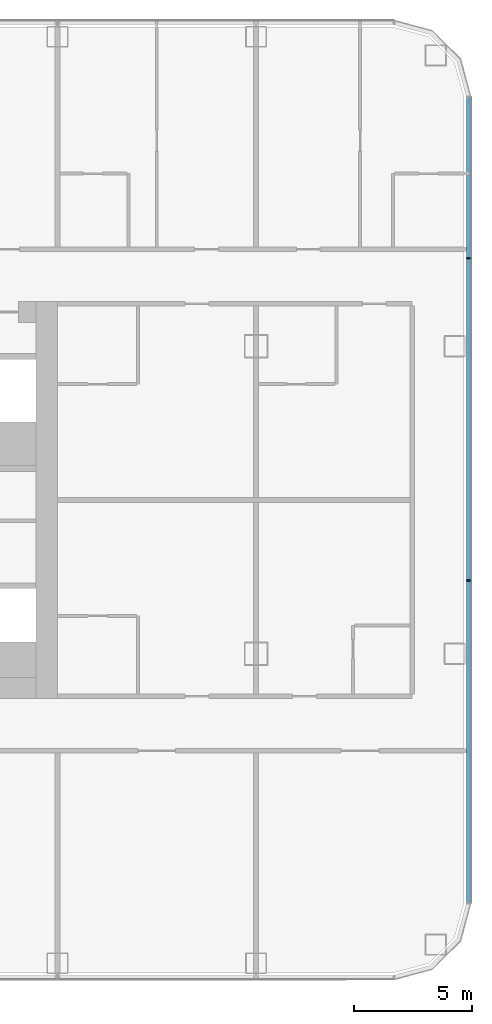
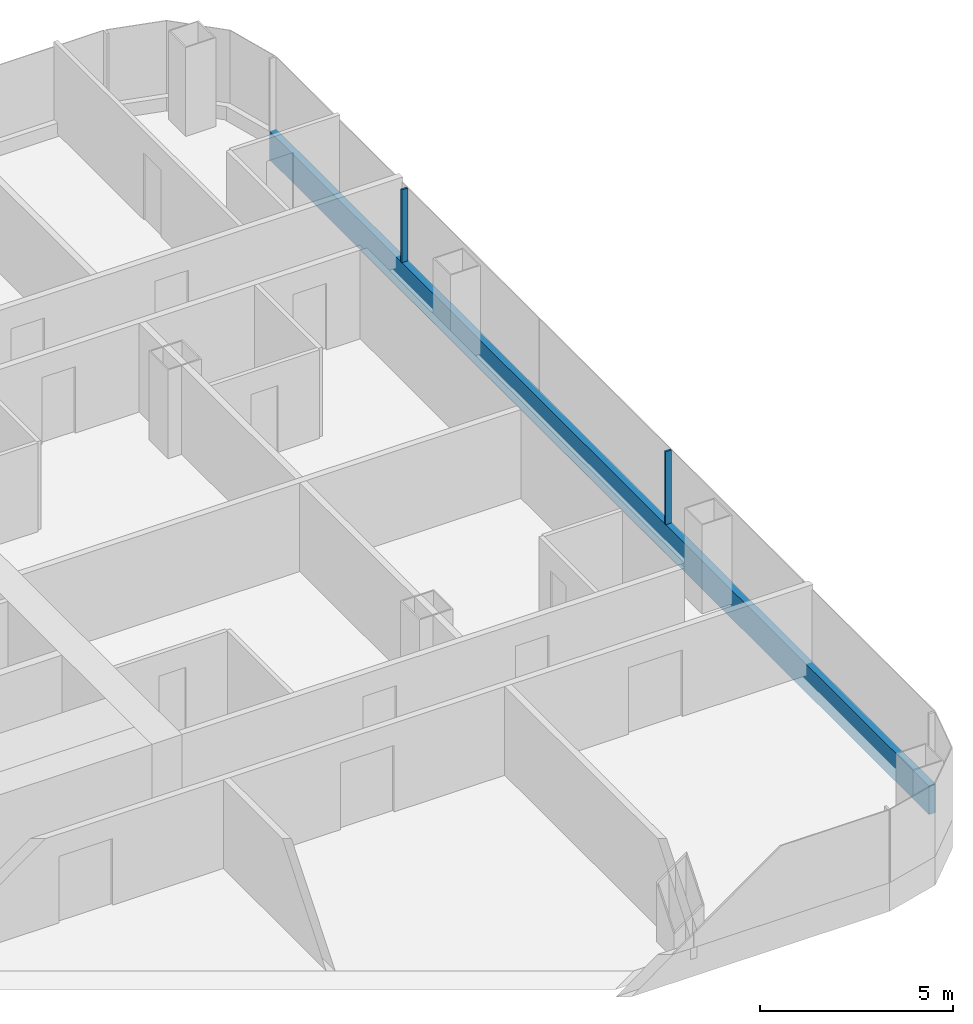
# One storey, part 10 of 28: 3 members, 1 element without a shape of its own.
"""IFC4 building model written with IfcOpenShell, lengths in metres."""

from ifc_helpers import new_model, si_unit, direction, frame, origin, origin_2d, place, context, subcontext, project, spatial, rectangle, extrude, material, layer, layer_set, material_profile, profile_set, type_object, element, aggregate, save


model = new_model("IFC4")

# Units and contexts
model_context = context("Model", 3, precision=1e-05, world=origin(), true_north=direction((0.0, 1.0)))
body_context = subcontext(model_context, "Body", "Model", "MODEL_VIEW")
ifc_project = project(units=[si_unit("LENGTHUNIT", "METRE"), si_unit("AREAUNIT", "SQUARE_METRE"), si_unit("VOLUMEUNIT", "CUBIC_METRE"), si_unit("PLANEANGLEUNIT", "RADIAN"), si_unit("MASSUNIT", "GRAM", prefix="KILO")], contexts=[model_context])

# Site, building, storey
site_placement = place(None, origin())
site = spatial("IfcSite", under=ifc_project, at=site_placement, CompositionType="ELEMENT")
building_placement = place(site_placement, origin())
building = spatial("IfcBuilding", under=site, at=building_placement, Name="Hakoniwa Tower and Hamabe Station Hall", CompositionType="ELEMENT")
storey_placement = place(building_placement, frame((0.0, 0.0, 48.60009765625)))
storey = spatial("IfcBuildingStorey", under=building, at=storey_placement, Name="L13", CompositionType="ELEMENT", Elevation=48.60009765625)

# Curtain wall, members
ifc_material_1 = material(Name="Dark low-e laminated glass", Category="glass")
ifc_layer = layer(ifc_material_1, 0.199951171875)
ifc_layer_set = layer_set([ifc_layer], Name="CW-1 UNITISED GUEST")
curtain_wall_type = type_object("IfcCurtainWallType", Name="CW-1 UNITISED GUEST", PredefinedType="NOTDEFINED", material=ifc_layer_set)
curtain_wall_placement = place(storey_placement, origin())
curtain_wall = element("IfcCurtainWall", 1, at=curtain_wall_placement, inside=storey, type_object=curtain_wall_type, Name="CW-1 curtain wall", PredefinedType="NOTDEFINED")
ifc_material_2 = material(Name="Aluminium 6063-T5 black anodised", Category="aluminium")
ifc_material_profile_1 = material_profile(ifc_material_2, rectangle(XDim=0.199951171875, YDim=0.89990234375, at=origin_2d()), Name="CW SLAB-EDGE BAND 900X200")
ifc_profile_set_1 = profile_set([ifc_material_profile_1], Name="Aluminium 6063-T5 black anodised")
member_type_1 = type_object("IfcMemberType", Name="CW SLAB-EDGE BAND 900X200", PredefinedType="USERDEFINED", material=ifc_profile_set_1)
member_1_placement = place(storey_placement, frame((51.0, -17.03955078125, -0.10009765625), z_axis=(0.0, 1.0, 0.0), x_axis=(-1.0, 0.0, 0.0)))
member_1 = element("IfcMember", 2, at=member_1_placement, type_object=member_type_1, Name="CW-1 transom", ObjectType="TRANSOM", PredefinedType="USERDEFINED", context=body_context, shape_type="SweptSolid", body=[
    extrude(rectangle(XDim=0.199951171875, YDim=0.89990234375, at=origin_2d()), origin(), (0.0, 0.0, 1.0), 34.0791015625),
])
ifc_material_3 = material(Name="Aluminium 6063-T5 black anodised", Category="aluminium")
ifc_material_profile_2 = material_profile(ifc_material_3, rectangle(XDim=0.06005859375, YDim=0.179931640625, at=origin_2d()), Name="CW-1 MULLION 60X180")
ifc_profile_set_2 = profile_set([ifc_material_profile_2], Name="Aluminium 6063-T5 black anodised")
member_type_2 = type_object("IfcMemberType", Name="CW-1 MULLION 60X180", PredefinedType="MULLION", material=ifc_profile_set_2)
member_2_placement = place(storey_placement, frame((50.98193359375, -3.407958984375, 0.349853515625), z_axis=(0.0, 0.0, 1.0), x_axis=(0.0, 1.0, 0.0)))
member_2 = element("IfcMember", 3, at=member_2_placement, type_object=member_type_2, Name="CW-1 mullion", PredefinedType="MULLION", context=body_context, shape_type="SweptSolid", body=[
    extrude(rectangle(XDim=0.06005859375, YDim=0.179931640625, at=origin_2d()), origin(), (0.0, 0.0, 1.0), 2.300048828125),
])
member_3_placement = place(storey_placement, frame((50.98193359375, 10.2236328125, 0.349853515625), z_axis=(0.0, 0.0, 1.0), x_axis=(0.0, 1.0, 0.0)))
member_3 = element("IfcMember", 4, at=member_3_placement, type_object=member_type_2, Name="CW-1 mullion", PredefinedType="MULLION", context=body_context, shape_type="SweptSolid", body=[
    extrude(rectangle(XDim=0.06005859375, YDim=0.179931640625, at=origin_2d()), origin(), (0.0, 0.0, 1.0), 2.300048828125),
])
aggregate(curtain_wall, [member_2, member_3, member_1])

save(model, "model.ifc")
